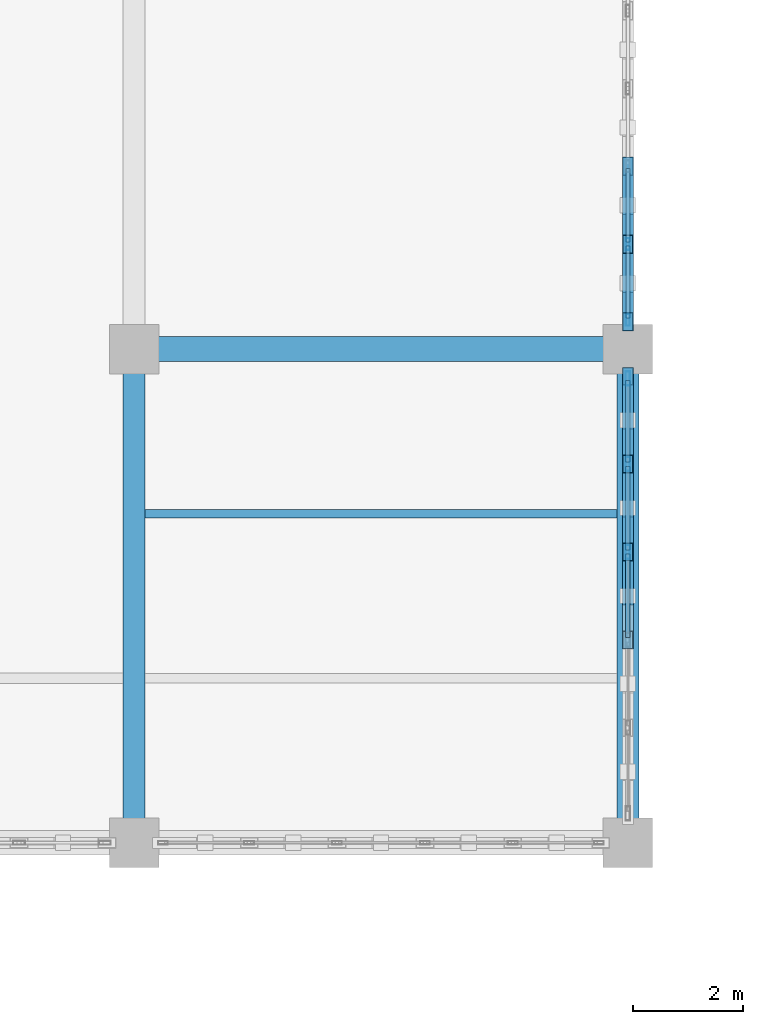
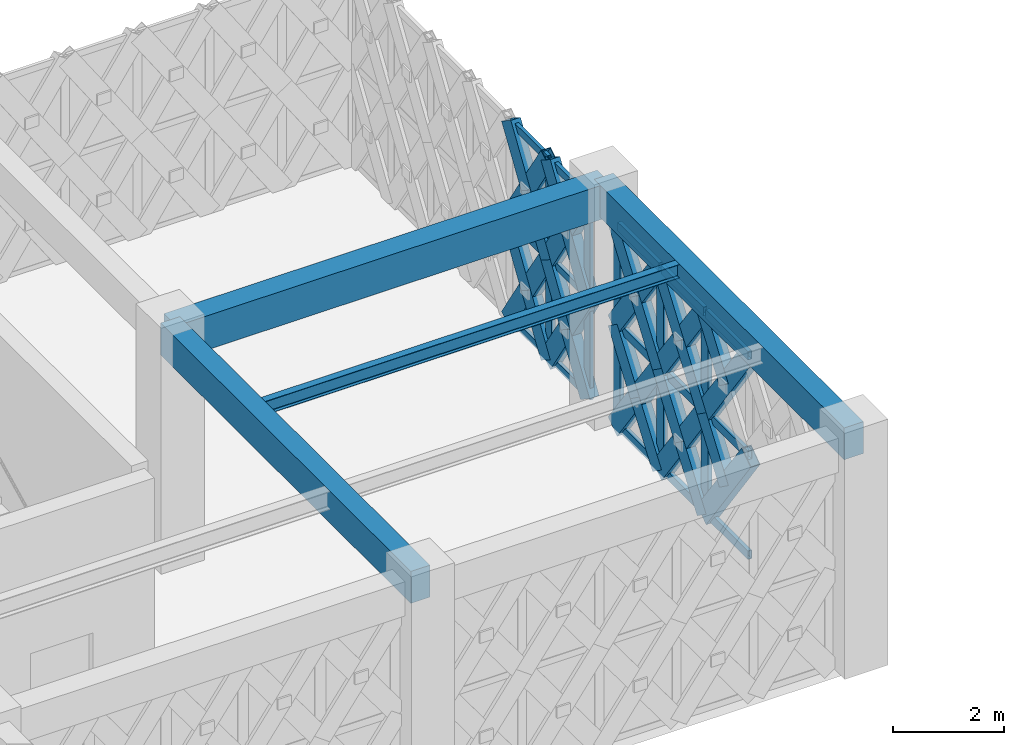
# One storey, part 91 of 155: 48 members, 4 beams, 2 elements without a shape of their own.
"""IFC4 building model written with IfcOpenShell, lengths in metres."""

from ifc_helpers import new_model, si_unit, direction, frame, origin, origin_2d, place, context, subcontext, project, spatial, rectangle, hollow_rectangle, i_section, extrude, material, material_profile, profile_set, type_object, element, aggregate, save


model = new_model("IFC4")

# Units and contexts
model_context = context("Model", 3, precision=1e-05, world=origin(), true_north=direction((0.0, 1.0)))
body_context = subcontext(model_context, "Body", "Model", "MODEL_VIEW")
ifc_project = project(units=[si_unit("LENGTHUNIT", "METRE"), si_unit("AREAUNIT", "SQUARE_METRE"), si_unit("VOLUMEUNIT", "CUBIC_METRE"), si_unit("PLANEANGLEUNIT", "RADIAN"), si_unit("MASSUNIT", "GRAM", prefix="KILO")], contexts=[model_context])

# Site, building, storey
site_placement = place(None, origin())
site = spatial("IfcSite", under=ifc_project, at=site_placement, CompositionType="ELEMENT")
building_placement = place(site_placement, origin())
building = spatial("IfcBuilding", under=site, at=building_placement, Name="Haizhuo Lancet Aquarium", CompositionType="ELEMENT")
storey_placement = place(building_placement, frame((0.0, 0.0, 10.800048828125)))
storey = spatial("IfcBuildingStorey", under=building, at=storey_placement, Name="L02", CompositionType="ELEMENT", Elevation=10.800048828125)

# Beams
ifc_material_1 = material(Name="Concrete C40/50", Category="concrete")
ifc_material_profile_1 = material_profile(ifc_material_1, rectangle(XDim=0.39990234375, YDim=0.699951171875, at=origin_2d()), Name="RC-BM 400x700")
ifc_profile_set_1 = profile_set([ifc_material_profile_1], Name="Concrete C40/50")
beam_type_1 = type_object("IfcBeamType", Name="BM-RC-400x700", PredefinedType="BEAM", material=ifc_profile_set_1)
for number, where, z_axis, x_axis, name in (
    (1, (18.0, 36.0, 4.81005859375), (0.0, 1.0, 0.0), (-1.0, 0.0, 0.0), "L02 V5 primary girder BM-L02-V5-028"),
    (2, (27.0, 36.0, 4.81005859375), (0.0, 1.0, 0.0), (-1.0, 0.0, 0.0), "L02 V5 primary girder BM-L02-V5-032"),
):
    element("IfcBeam", number, at=place(storey_placement, frame(where, z_axis=z_axis, x_axis=x_axis)), inside=storey, type_object=beam_type_1, Name=name, PredefinedType="BEAM", context=body_context, shape_type="SweptSolid", body=[
        extrude(rectangle(XDim=0.39990234375, YDim=0.699951171875, at=origin_2d()), origin(), (0.0, 0.0, 1.0), 9.0),
    ])
ifc_material_profile_2 = material_profile(ifc_material_1, rectangle(XDim=0.449951171875, YDim=0.75, at=origin_2d()), Name="RC-BM 450x750")
ifc_profile_set_2 = profile_set([ifc_material_profile_2], Name="Concrete C40/50")
beam_type_2 = type_object("IfcBeamType", Name="BM-RC-450x750", PredefinedType="BEAM", material=ifc_profile_set_2)
beam_1_placement = place(storey_placement, frame((18.0, 45.0, 4.784912109375), z_axis=(1.0, 0.0, 0.0), x_axis=(0.0, 1.0, 0.0)))
element("IfcBeam", 3, at=beam_1_placement, inside=storey, type_object=beam_type_2, Name="L02 V5 primary girder BM-L02-V5-031", PredefinedType="BEAM", context=body_context, shape_type="SweptSolid", body=[
    extrude(rectangle(XDim=0.449951171875, YDim=0.75, at=origin_2d()), origin(), (0.0, 0.0, 1.0), 9.0),
])

# Curtain wall, members
ifc_material_2 = material(Name="Aluminium 6063-T6", Category="aluminium")
curtain_wall_type_1 = type_object("IfcCurtainWallType", Name="CWD-8510x4390", PredefinedType="NOTDEFINED", material=ifc_material_2)
curtain_wall_1_placement = place(storey_placement, origin())
curtain_wall_1 = element("IfcCurtainWall", 4, at=curtain_wall_1_placement, inside=storey, type_object=curtain_wall_type_1, Name="L02 curtain wall CW-V5-L02-152", PredefinedType="NOTDEFINED")
ifc_material_profile_3 = material_profile(ifc_material_2, hollow_rectangle(XDim=0.074951171875, YDim=0.219970703125, WallThickness=0.0048828125, at=origin_2d()), Name="ALU-M 75x220x5")
ifc_profile_set_3 = profile_set([ifc_material_profile_3], Name="Aluminium 6063-T6")
member_type_1 = type_object("IfcMemberType", Name="CW-MUL-2", PredefinedType="MULLION", material=ifc_profile_set_3)
member_1_placement = place(storey_placement, frame((27.0, 46.912109375, 0.0), z_axis=(0.0, 0.0, 1.0), x_axis=(1.0, 0.0, 0.0)))
member_1 = element("IfcMember", 5, at=member_1_placement, type_object=member_type_1, Name="CWD-85x43 mullion 6", PredefinedType="MULLION", context=body_context, shape_type="SweptSolid", body=[
    extrude(hollow_rectangle(XDim=0.074951171875, YDim=0.219970703125, WallThickness=0.0048828125, at=origin_2d()), origin(), (0.0, 0.0, 1.0), 4.39501953125),
])
member_2_placement = place(storey_placement, frame((27.0, 45.531982421875, 0.0), z_axis=(0.0, 0.0, 1.0), x_axis=(1.0, 0.0, 0.0)))
member_2 = element("IfcMember", 6, at=member_2_placement, type_object=member_type_1, Name="CWD-85x43 mullion 7", PredefinedType="MULLION", context=body_context, shape_type="SweptSolid", body=[
    extrude(hollow_rectangle(XDim=0.074951171875, YDim=0.219970703125, WallThickness=0.0048828125, at=origin_2d()), origin(), (0.0, 0.0, 1.0), 4.39501953125),
])

curtain_wall_type_2 = type_object("IfcCurtainWallType", Name="CWD-8010x4460", PredefinedType="NOTDEFINED", material=ifc_material_2)
curtain_wall_2_placement = place(storey_placement, origin())
curtain_wall_2 = element("IfcCurtainWall", 7, at=curtain_wall_2_placement, inside=storey, type_object=curtain_wall_type_2, Name="L02 curtain wall CW-V5-L02-153", PredefinedType="NOTDEFINED")
ifc_material_profile_4 = material_profile(ifc_material_2, hollow_rectangle(XDim=0.080078125, YDim=0.260009765625, WallThickness=0.0048828125, at=origin_2d()), Name="ALU-M 80x260x5")
ifc_profile_set_4 = profile_set([ifc_material_profile_4], Name="Aluminium 6063-T6")
member_type_2 = type_object("IfcMemberType", Name="CW-MUL-3", PredefinedType="MULLION", material=ifc_profile_set_4)
member_3_placement = place(storey_placement, frame((27.0, 44.465087890625, 0.0), z_axis=(0.0, 0.0, 1.0), x_axis=(1.0, 0.0, 0.0)))
member_3 = element("IfcMember", 8, at=member_3_placement, type_object=member_type_2, Name="CWD-80x44 mullion 1", PredefinedType="MULLION", context=body_context, shape_type="SweptSolid", body=[
    extrude(hollow_rectangle(XDim=0.080078125, YDim=0.260009765625, WallThickness=0.0048828125, at=origin_2d()), origin(), (0.0, 0.0, 1.0), 4.4599609375),
])
member_4_placement = place(storey_placement, frame((27.0, 42.903076171875, 0.0), z_axis=(0.0, 0.0, 1.0), x_axis=(1.0, 0.0, 0.0)))
member_4 = element("IfcMember", 9, at=member_4_placement, type_object=member_type_2, Name="CWD-80x44 mullion 2", PredefinedType="MULLION", context=body_context, shape_type="SweptSolid", body=[
    extrude(hollow_rectangle(XDim=0.080078125, YDim=0.260009765625, WallThickness=0.0048828125, at=origin_2d()), origin(), (0.0, 0.0, 1.0), 4.4599609375),
])
member_5_placement = place(storey_placement, frame((27.0, 41.301025390625, 0.0), z_axis=(0.0, 0.0, 1.0), x_axis=(1.0, 0.0, 0.0)))
member_5 = element("IfcMember", 10, at=member_5_placement, type_object=member_type_2, Name="CWD-80x44 mullion 3", PredefinedType="MULLION", context=body_context, shape_type="SweptSolid", body=[
    extrude(hollow_rectangle(XDim=0.080078125, YDim=0.260009765625, WallThickness=0.0048828125, at=origin_2d()), origin(), (0.0, 0.0, 1.0), 4.4599609375),
])

# Member
ifc_material_profile_5 = material_profile(ifc_material_2, hollow_rectangle(XDim=0.074951171875, YDim=0.159912109375, WallThickness=0.00390625, at=origin_2d()), Name="ALU-T 75x160x4")
ifc_profile_set_5 = profile_set([ifc_material_profile_5], Name="Aluminium 6063-T6")
member_type_3 = type_object("IfcMemberType", Name="CW-TRN-2", PredefinedType="NOTDEFINED", material=ifc_profile_set_5)
member_6_placement = place(storey_placement, frame((27.0, 48.2919921875, 0.037841796875), z_axis=(0.0, -1.0, 0.0), x_axis=(1.0, 0.0, 0.0)))
member_6 = element("IfcMember", 11, at=member_6_placement, type_object=member_type_3, Name="CWD-85x43 transom 5.1", ObjectType="TRANSOM", PredefinedType="USERDEFINED", context=body_context, shape_type="SweptSolid", body=[
    extrude(hollow_rectangle(XDim=0.074951171875, YDim=0.159912109375, WallThickness=0.00390625, at=origin_2d()), origin(), (0.0, 0.0, 1.0), 1.342041015625),
])

member_7_placement = place(storey_placement, frame((27.0, 48.2919921875, 2.197998046875), z_axis=(0.0, -1.0, 0.0), x_axis=(1.0, 0.0, 0.0)))
member_7 = element("IfcMember", 12, at=member_7_placement, type_object=member_type_3, Name="CWD-85x43 transom 5.2", ObjectType="TRANSOM", PredefinedType="USERDEFINED", context=body_context, shape_type="SweptSolid", body=[
    extrude(hollow_rectangle(XDim=0.074951171875, YDim=0.159912109375, WallThickness=0.00390625, at=origin_2d()), origin(), (0.0, 0.0, 1.0), 1.342041015625),
])

member_8_placement = place(storey_placement, frame((27.0, 48.2919921875, 4.35791015625), z_axis=(0.0, -1.0, 0.0), x_axis=(1.0, 0.0, 0.0)))
member_8 = element("IfcMember", 13, at=member_8_placement, type_object=member_type_3, Name="CWD-85x43 transom 5.3", ObjectType="TRANSOM", PredefinedType="USERDEFINED", context=body_context, shape_type="SweptSolid", body=[
    extrude(hollow_rectangle(XDim=0.074951171875, YDim=0.159912109375, WallThickness=0.00390625, at=origin_2d()), origin(), (0.0, 0.0, 1.0), 1.342041015625),
])

member_9_placement = place(storey_placement, frame((27.0, 46.875, 0.037841796875), z_axis=(0.0, -1.0, 0.0), x_axis=(1.0, 0.0, 0.0)))
member_9 = element("IfcMember", 14, at=member_9_placement, type_object=member_type_3, Name="CWD-85x43 transom 6.1", ObjectType="TRANSOM", PredefinedType="USERDEFINED", context=body_context, shape_type="SweptSolid", body=[
    extrude(hollow_rectangle(XDim=0.074951171875, YDim=0.159912109375, WallThickness=0.00390625, at=origin_2d()), origin(), (0.0, 0.0, 1.0), 1.304931640625),
])

member_10_placement = place(storey_placement, frame((27.0, 46.875, 2.197998046875), z_axis=(0.0, -1.0, 0.0), x_axis=(1.0, 0.0, 0.0)))
member_10 = element("IfcMember", 15, at=member_10_placement, type_object=member_type_3, Name="CWD-85x43 transom 6.2", ObjectType="TRANSOM", PredefinedType="USERDEFINED", context=body_context, shape_type="SweptSolid", body=[
    extrude(hollow_rectangle(XDim=0.074951171875, YDim=0.159912109375, WallThickness=0.00390625, at=origin_2d()), origin(), (0.0, 0.0, 1.0), 1.304931640625),
])

member_11_placement = place(storey_placement, frame((27.0, 46.875, 4.35791015625), z_axis=(0.0, -1.0, 0.0), x_axis=(1.0, 0.0, 0.0)))
member_11 = element("IfcMember", 16, at=member_11_placement, type_object=member_type_3, Name="CWD-85x43 transom 6.3", ObjectType="TRANSOM", PredefinedType="USERDEFINED", context=body_context, shape_type="SweptSolid", body=[
    extrude(hollow_rectangle(XDim=0.074951171875, YDim=0.159912109375, WallThickness=0.00390625, at=origin_2d()), origin(), (0.0, 0.0, 1.0), 1.304931640625),
])

aggregate(curtain_wall_1, [member_1, member_2, member_6, member_7, member_8, member_9, member_10, member_11])

ifc_material_profile_6 = material_profile(ifc_material_2, hollow_rectangle(XDim=0.080078125, YDim=0.18994140625, WallThickness=0.0048828125, at=origin_2d()), Name="ALU-T 80x190x5")
ifc_profile_set_6 = profile_set([ifc_material_profile_6], Name="Aluminium 6063-T6")
member_type_4 = type_object("IfcMemberType", Name="CW-TRN-3", PredefinedType="NOTDEFINED", material=ifc_profile_set_6)
member_12_placement = place(storey_placement, frame((27.0, 44.425048828125, 0.0400390625), z_axis=(0.0, -1.0, 0.0), x_axis=(1.0, 0.0, 0.0)))
member_12 = element("IfcMember", 17, at=member_12_placement, type_object=member_type_4, Name="CWD-80x44 transom 1.1", ObjectType="TRANSOM", PredefinedType="USERDEFINED", context=body_context, shape_type="SweptSolid", body=[
    extrude(hollow_rectangle(XDim=0.080078125, YDim=0.18994140625, WallThickness=0.0048828125, at=origin_2d()), origin(), (0.0, 0.0, 1.0), 1.48193359375),
])

member_13_placement = place(storey_placement, frame((27.0, 44.425048828125, 2.22998046875), z_axis=(0.0, -1.0, 0.0), x_axis=(1.0, 0.0, 0.0)))
member_13 = element("IfcMember", 18, at=member_13_placement, type_object=member_type_4, Name="CWD-80x44 transom 1.2", ObjectType="TRANSOM", PredefinedType="USERDEFINED", context=body_context, shape_type="SweptSolid", body=[
    extrude(hollow_rectangle(XDim=0.080078125, YDim=0.18994140625, WallThickness=0.0048828125, at=origin_2d()), origin(), (0.0, 0.0, 1.0), 1.48193359375),
])

member_14_placement = place(storey_placement, frame((27.0, 44.425048828125, 4.419921875), z_axis=(0.0, -1.0, 0.0), x_axis=(1.0, 0.0, 0.0)))
member_14 = element("IfcMember", 19, at=member_14_placement, type_object=member_type_4, Name="CWD-80x44 transom 1.3", ObjectType="TRANSOM", PredefinedType="USERDEFINED", context=body_context, shape_type="SweptSolid", body=[
    extrude(hollow_rectangle(XDim=0.080078125, YDim=0.18994140625, WallThickness=0.0048828125, at=origin_2d()), origin(), (0.0, 0.0, 1.0), 1.48193359375),
])

member_15_placement = place(storey_placement, frame((27.0, 42.863037109375, 0.0400390625), z_axis=(0.0, -1.0, 0.0), x_axis=(1.0, 0.0, 0.0)))
member_15 = element("IfcMember", 20, at=member_15_placement, type_object=member_type_4, Name="CWD-80x44 transom 2.1", ObjectType="TRANSOM", PredefinedType="USERDEFINED", context=body_context, shape_type="SweptSolid", body=[
    extrude(hollow_rectangle(XDim=0.080078125, YDim=0.18994140625, WallThickness=0.0048828125, at=origin_2d()), origin(), (0.0, 0.0, 1.0), 1.52197265625),
])

member_16_placement = place(storey_placement, frame((27.0, 42.863037109375, 2.22998046875), z_axis=(0.0, -1.0, 0.0), x_axis=(1.0, 0.0, 0.0)))
member_16 = element("IfcMember", 21, at=member_16_placement, type_object=member_type_4, Name="CWD-80x44 transom 2.2", ObjectType="TRANSOM", PredefinedType="USERDEFINED", context=body_context, shape_type="SweptSolid", body=[
    extrude(hollow_rectangle(XDim=0.080078125, YDim=0.18994140625, WallThickness=0.0048828125, at=origin_2d()), origin(), (0.0, 0.0, 1.0), 1.52197265625),
])

member_17_placement = place(storey_placement, frame((27.0, 42.863037109375, 4.419921875), z_axis=(0.0, -1.0, 0.0), x_axis=(1.0, 0.0, 0.0)))
member_17 = element("IfcMember", 22, at=member_17_placement, type_object=member_type_4, Name="CWD-80x44 transom 2.3", ObjectType="TRANSOM", PredefinedType="USERDEFINED", context=body_context, shape_type="SweptSolid", body=[
    extrude(hollow_rectangle(XDim=0.080078125, YDim=0.18994140625, WallThickness=0.0048828125, at=origin_2d()), origin(), (0.0, 0.0, 1.0), 1.52197265625),
])

member_18_placement = place(storey_placement, frame((27.0, 41.260986328125, 0.0400390625), z_axis=(0.0, -1.0, 0.0), x_axis=(1.0, 0.0, 0.0)))
member_18 = element("IfcMember", 23, at=member_18_placement, type_object=member_type_4, Name="CWD-80x44 transom 3.1", ObjectType="TRANSOM", PredefinedType="USERDEFINED", context=body_context, shape_type="SweptSolid", body=[
    extrude(hollow_rectangle(XDim=0.080078125, YDim=0.18994140625, WallThickness=0.0048828125, at=origin_2d()), origin(), (0.0, 0.0, 1.0), 1.52197265625),
])

member_19_placement = place(storey_placement, frame((27.0, 41.260986328125, 2.22998046875), z_axis=(0.0, -1.0, 0.0), x_axis=(1.0, 0.0, 0.0)))
member_19 = element("IfcMember", 24, at=member_19_placement, type_object=member_type_4, Name="CWD-80x44 transom 3.2", ObjectType="TRANSOM", PredefinedType="USERDEFINED", context=body_context, shape_type="SweptSolid", body=[
    extrude(hollow_rectangle(XDim=0.080078125, YDim=0.18994140625, WallThickness=0.0048828125, at=origin_2d()), origin(), (0.0, 0.0, 1.0), 1.52197265625),
])

member_20_placement = place(storey_placement, frame((27.0, 41.260986328125, 4.419921875), z_axis=(0.0, -1.0, 0.0), x_axis=(1.0, 0.0, 0.0)))
member_20 = element("IfcMember", 25, at=member_20_placement, type_object=member_type_4, Name="CWD-80x44 transom 3.3", ObjectType="TRANSOM", PredefinedType="USERDEFINED", context=body_context, shape_type="SweptSolid", body=[
    extrude(hollow_rectangle(XDim=0.080078125, YDim=0.18994140625, WallThickness=0.0048828125, at=origin_2d()), origin(), (0.0, 0.0, 1.0), 1.52197265625),
])

aggregate(curtain_wall_2, [member_3, member_4, member_5, member_12, member_13, member_14, member_15, member_16, member_17, member_18, member_19, member_20])

# Beam
ifc_material_3 = material(Name="Steel S355", Category="steel")
ifc_material_profile_7 = material_profile(ifc_material_3, i_section(OverallWidth=0.14990234375, OverallDepth=0.300048828125, WebThickness=0.006591796875, FlangeThickness=0.009033203125, FilletRadius=0.012939453125, at=origin_2d()), Name="HN 300x150x6.5x9")
ifc_profile_set_7 = profile_set([ifc_material_profile_7], Name="Steel S355")
beam_type_3 = type_object("IfcBeamType", Name="JST-ST-HN300", PredefinedType="JOIST", material=ifc_profile_set_7)
beam_2_placement = place(storey_placement, frame((18.199951171875, 42.0, 5.010009765625), z_axis=(1.0, 0.0, 0.0), x_axis=(0.0, 1.0, 0.0)))
element("IfcBeam", 26, at=beam_2_placement, inside=storey, type_object=beam_type_3, Name="L02 V5 secondary floor joist 16", PredefinedType="JOIST", context=body_context, shape_type="SweptSolid", body=[
    extrude(i_section(OverallWidth=0.14990234375, OverallDepth=0.300048828125, WebThickness=0.006591796875, FlangeThickness=0.009033203125, FilletRadius=0.012939453125, at=origin_2d()), origin(), (0.0, 0.0, 1.0), 8.60009765625),
])

# Members
ifc_material_profile_8 = material_profile(ifc_material_3, hollow_rectangle(XDim=0.199951171875, YDim=0.39990234375, WallThickness=0.011962890625, at=origin_2d()), Name="RHS 200x400x12")
ifc_profile_set_8 = profile_set([ifc_material_profile_8], Name="Steel S355")
member_type_5 = type_object("IfcMemberType", Name="MEM-LB-RHS200x400", PredefinedType="BRACE", material=ifc_profile_set_8)
member_21_placement = place(storey_placement, frame((27.0, 48.330078125, 0.0), z_axis=(0.0, -0.542101357913, 0.840313106972), x_axis=(1.0, 0.0, 0.0)))
element("IfcMember", 27, at=member_21_placement, inside=storey, type_object=member_type_5, Name="Gothic lancet continuous diagonal brace CW-V5-L02-152 9A", PredefinedType="BRACE", context=body_context, shape_type="SweptSolid", body=[
    extrude(hollow_rectangle(XDim=0.199951171875, YDim=0.39990234375, WallThickness=0.011962890625, at=origin_2d()), origin(), (0.0, 0.0, 1.0), 2.61572265625),
])
for number, where, z_axis, x_axis, name in (
    (28, (27.0, 46.912109375, 0.0), (0.0, 0.542143878818, 0.840285674435), (-1.0, 0.0, 0.0), "Gothic lancet split diagonal brace CW-V5-L02-152 9B1"),
    (29, (27.0, 47.62109375, 1.098876953125), (0.0, 0.54205884229, 0.840340533055), (-1.0, 0.0, 0.0), "Gothic lancet split diagonal brace CW-V5-L02-152 9B2"),
):
    element("IfcMember", number, at=place(storey_placement, frame(where, z_axis=z_axis, x_axis=x_axis)), inside=storey, type_object=member_type_5, Name=name, PredefinedType="BRACE", context=body_context, shape_type="SweptSolid", body=[
        extrude(hollow_rectangle(XDim=0.199951171875, YDim=0.39990234375, WallThickness=0.011962890625, at=origin_2d()), origin(), (0.0, 0.0, 1.0), 1.307861328125),
    ])
member_22_placement = place(storey_placement, frame((27.0, 48.330078125, 2.197998046875), z_axis=(0.0, -0.542271473228, 0.840203338082), x_axis=(1.0, 0.0, 0.0)))
element("IfcMember", 30, at=member_22_placement, inside=storey, type_object=member_type_5, Name="Gothic lancet continuous diagonal brace CW-V5-L02-152 10A", PredefinedType="BRACE", context=body_context, shape_type="SweptSolid", body=[
    extrude(hollow_rectangle(XDim=0.199951171875, YDim=0.39990234375, WallThickness=0.011962890625, at=origin_2d()), origin(), (0.0, 0.0, 1.0), 2.614990234375),
])
member_23_placement = place(storey_placement, frame((27.0, 46.912109375, 2.197998046875), z_axis=(0.0, 0.542484236268, 0.840065981576), x_axis=(-1.0, 0.0, 0.0)))
element("IfcMember", 31, at=member_23_placement, inside=storey, type_object=member_type_5, Name="Gothic lancet split diagonal brace CW-V5-L02-152 10B1", PredefinedType="BRACE", context=body_context, shape_type="SweptSolid", body=[
    extrude(hollow_rectangle(XDim=0.199951171875, YDim=0.39990234375, WallThickness=0.011962890625, at=origin_2d()), origin(), (0.0, 0.0, 1.0), 1.306884765625),
])
member_24_placement = place(storey_placement, frame((27.0, 47.62109375, 3.2958984375), z_axis=(0.0, 0.54205884229, 0.840340533055), x_axis=(-1.0, 0.0, 0.0)))
element("IfcMember", 32, at=member_24_placement, inside=storey, type_object=member_type_5, Name="Gothic lancet split diagonal brace CW-V5-L02-152 10B2", PredefinedType="BRACE", context=body_context, shape_type="SweptSolid", body=[
    extrude(hollow_rectangle(XDim=0.199951171875, YDim=0.39990234375, WallThickness=0.011962890625, at=origin_2d()), origin(), (0.0, 0.0, 1.0), 1.307861328125),
])
member_25_placement = place(storey_placement, frame((27.0, 46.912109375, 0.0), z_axis=(0.0, -0.541837647065, 0.840483173075), x_axis=(1.0, 0.0, 0.0)))
element("IfcMember", 33, at=member_25_placement, inside=storey, type_object=member_type_5, Name="Gothic lancet continuous diagonal brace CW-V5-L02-152 11A", PredefinedType="BRACE", context=body_context, shape_type="SweptSolid", body=[
    extrude(hollow_rectangle(XDim=0.199951171875, YDim=0.39990234375, WallThickness=0.011962890625, at=origin_2d()), origin(), (0.0, 0.0, 1.0), 2.615234375),
])
member_26_placement = place(storey_placement, frame((27.0, 45.4951171875, 0.0), z_axis=(0.0, 0.541484292706, 0.840710866323), x_axis=(-1.0, 0.0, 0.0)))
element("IfcMember", 34, at=member_26_placement, inside=storey, type_object=member_type_5, Name="Gothic lancet split diagonal brace CW-V5-L02-152 11B1", PredefinedType="BRACE", context=body_context, shape_type="SweptSolid", body=[
    extrude(hollow_rectangle(XDim=0.199951171875, YDim=0.39990234375, WallThickness=0.011962890625, at=origin_2d()), origin(), (0.0, 0.0, 1.0), 1.30712890625),
])
member_27_placement = place(storey_placement, frame((27.0, 46.202880859375, 1.098876953125), z_axis=(0.0, 0.542190635954, 0.840255505358), x_axis=(-1.0, 0.0, 0.0)))
element("IfcMember", 35, at=member_27_placement, inside=storey, type_object=member_type_5, Name="Gothic lancet split diagonal brace CW-V5-L02-152 11B2", PredefinedType="BRACE", context=body_context, shape_type="SweptSolid", body=[
    extrude(hollow_rectangle(XDim=0.199951171875, YDim=0.39990234375, WallThickness=0.011962890625, at=origin_2d()), origin(), (0.0, 0.0, 1.0), 1.30810546875),
])
member_28_placement = place(storey_placement, frame((27.0, 46.912109375, 2.197998046875), z_axis=(0.0, -0.542007748489, 0.840373488741), x_axis=(1.0, 0.0, 0.0)))
element("IfcMember", 36, at=member_28_placement, inside=storey, type_object=member_type_5, Name="Gothic lancet continuous diagonal brace CW-V5-L02-152 12A", PredefinedType="BRACE", context=body_context, shape_type="SweptSolid", body=[
    extrude(hollow_rectangle(XDim=0.199951171875, YDim=0.39990234375, WallThickness=0.011962890625, at=origin_2d()), origin(), (0.0, 0.0, 1.0), 2.6142578125),
])
member_29_placement = place(storey_placement, frame((27.0, 45.4951171875, 2.197998046875), z_axis=(0.0, 0.541824580508, 0.840491596601), x_axis=(-1.0, 0.0, 0.0)))
element("IfcMember", 37, at=member_29_placement, inside=storey, type_object=member_type_5, Name="Gothic lancet split diagonal brace CW-V5-L02-152 12B1", PredefinedType="BRACE", context=body_context, shape_type="SweptSolid", body=[
    extrude(hollow_rectangle(XDim=0.199951171875, YDim=0.39990234375, WallThickness=0.011962890625, at=origin_2d()), origin(), (0.0, 0.0, 1.0), 1.30615234375),
])
member_30_placement = place(storey_placement, frame((27.0, 46.202880859375, 3.2958984375), z_axis=(0.0, 0.542190635954, 0.840255505358), x_axis=(-1.0, 0.0, 0.0)))
element("IfcMember", 38, at=member_30_placement, inside=storey, type_object=member_type_5, Name="Gothic lancet split diagonal brace CW-V5-L02-152 12B2", PredefinedType="BRACE", context=body_context, shape_type="SweptSolid", body=[
    extrude(hollow_rectangle(XDim=0.199951171875, YDim=0.39990234375, WallThickness=0.011962890625, at=origin_2d()), origin(), (0.0, 0.0, 1.0), 1.30810546875),
])
member_31_placement = place(storey_placement, frame((27.0, 44.5048828125, 0.0), z_axis=(0.0, -0.583397836814, 0.812186532763), x_axis=(1.0, 0.0, 0.0)))
element("IfcMember", 39, at=member_31_placement, inside=storey, type_object=member_type_5, Name="Gothic lancet continuous diagonal brace CW-V5-L02-153 1A", PredefinedType="BRACE", context=body_context, shape_type="SweptSolid", body=[
    extrude(hollow_rectangle(XDim=0.199951171875, YDim=0.39990234375, WallThickness=0.011962890625, at=origin_2d()), origin(), (0.0, 0.0, 1.0), 2.74560546875),
])
for number, where, z_axis, x_axis, name in (
    (40, (27.0, 42.903076171875, 0.0), (0.0, 0.583456487426, 0.81214440051), (-1.0, 0.0, 0.0), "Gothic lancet split diagonal brace CW-V5-L02-153 1B1"),
    (41, (27.0, 43.7041015625, 1.114990234375), (0.0, 0.583339177073, 0.81222866515), (-1.0, 0.0, 0.0), "Gothic lancet split diagonal brace CW-V5-L02-153 1B2"),
):
    element("IfcMember", number, at=place(storey_placement, frame(where, z_axis=z_axis, x_axis=x_axis)), inside=storey, type_object=member_type_5, Name=name, PredefinedType="BRACE", context=body_context, shape_type="SweptSolid", body=[
        extrude(hollow_rectangle(XDim=0.199951171875, YDim=0.39990234375, WallThickness=0.011962890625, at=origin_2d()), origin(), (0.0, 0.0, 1.0), 1.372802734375),
    ])
member_32_placement = place(storey_placement, frame((27.0, 44.5048828125, 2.22998046875), z_axis=(0.0, -0.583397836814, 0.812186532763), x_axis=(1.0, 0.0, 0.0)))
element("IfcMember", 42, at=member_32_placement, inside=storey, type_object=member_type_5, Name="Gothic lancet continuous diagonal brace CW-V5-L02-153 2A", PredefinedType="BRACE", context=body_context, shape_type="SweptSolid", body=[
    extrude(hollow_rectangle(XDim=0.199951171875, YDim=0.39990234375, WallThickness=0.011962890625, at=origin_2d()), origin(), (0.0, 0.0, 1.0), 2.74560546875),
])
for number, where, z_axis, x_axis, name in (
    (43, (27.0, 42.903076171875, 2.22998046875), (0.0, 0.583456487426, 0.81214440051), (-1.0, 0.0, 0.0), "Gothic lancet split diagonal brace CW-V5-L02-153 2B1"),
    (44, (27.0, 43.7041015625, 3.344970703125), (0.0, 0.583339177073, 0.81222866515), (-1.0, 0.0, 0.0), "Gothic lancet split diagonal brace CW-V5-L02-153 2B2"),
):
    element("IfcMember", number, at=place(storey_placement, frame(where, z_axis=z_axis, x_axis=x_axis)), inside=storey, type_object=member_type_5, Name=name, PredefinedType="BRACE", context=body_context, shape_type="SweptSolid", body=[
        extrude(hollow_rectangle(XDim=0.199951171875, YDim=0.39990234375, WallThickness=0.011962890625, at=origin_2d()), origin(), (0.0, 0.0, 1.0), 1.372802734375),
    ])
member_33_placement = place(storey_placement, frame((27.0, 42.903076171875, 0.0), z_axis=(0.0, -0.583456487426, 0.81214440051), x_axis=(1.0, 0.0, 0.0)))
element("IfcMember", 45, at=member_33_placement, inside=storey, type_object=member_type_5, Name="Gothic lancet continuous diagonal brace CW-V5-L02-153 3A", PredefinedType="BRACE", context=body_context, shape_type="SweptSolid", body=[
    extrude(hollow_rectangle(XDim=0.199951171875, YDim=0.39990234375, WallThickness=0.011962890625, at=origin_2d()), origin(), (0.0, 0.0, 1.0), 2.745849609375),
])
for number, where, z_axis, x_axis, name in (
    (46, (27.0, 41.301025390625, 0.0), (0.0, 0.583456487426, 0.81214440051), (-1.0, 0.0, 0.0), "Gothic lancet split diagonal brace CW-V5-L02-153 3B1"),
    (47, (27.0, 42.10205078125, 1.114990234375), (0.0, 0.583456487426, 0.81214440051), (-1.0, 0.0, 0.0), "Gothic lancet split diagonal brace CW-V5-L02-153 3B2"),
):
    element("IfcMember", number, at=place(storey_placement, frame(where, z_axis=z_axis, x_axis=x_axis)), inside=storey, type_object=member_type_5, Name=name, PredefinedType="BRACE", context=body_context, shape_type="SweptSolid", body=[
        extrude(hollow_rectangle(XDim=0.199951171875, YDim=0.39990234375, WallThickness=0.011962890625, at=origin_2d()), origin(), (0.0, 0.0, 1.0), 1.372802734375),
    ])
member_34_placement = place(storey_placement, frame((27.0, 42.903076171875, 2.22998046875), z_axis=(0.0, -0.583456487426, 0.81214440051), x_axis=(1.0, 0.0, 0.0)))
element("IfcMember", 48, at=member_34_placement, inside=storey, type_object=member_type_5, Name="Gothic lancet continuous diagonal brace CW-V5-L02-153 4A", PredefinedType="BRACE", context=body_context, shape_type="SweptSolid", body=[
    extrude(hollow_rectangle(XDim=0.199951171875, YDim=0.39990234375, WallThickness=0.011962890625, at=origin_2d()), origin(), (0.0, 0.0, 1.0), 2.745849609375),
])
for number, where, z_axis, x_axis, name in (
    (49, (27.0, 41.301025390625, 2.22998046875), (0.0, 0.583456487426, 0.81214440051), (-1.0, 0.0, 0.0), "Gothic lancet split diagonal brace CW-V5-L02-153 4B1"),
    (50, (27.0, 42.10205078125, 3.344970703125), (0.0, 0.583456487426, 0.81214440051), (-1.0, 0.0, 0.0), "Gothic lancet split diagonal brace CW-V5-L02-153 4B2"),
):
    element("IfcMember", number, at=place(storey_placement, frame(where, z_axis=z_axis, x_axis=x_axis)), inside=storey, type_object=member_type_5, Name=name, PredefinedType="BRACE", context=body_context, shape_type="SweptSolid", body=[
        extrude(hollow_rectangle(XDim=0.199951171875, YDim=0.39990234375, WallThickness=0.011962890625, at=origin_2d()), origin(), (0.0, 0.0, 1.0), 1.372802734375),
    ])
member_35_placement = place(storey_placement, frame((27.0, 41.301025390625, 0.0), z_axis=(0.0, -0.583456487426, 0.81214440051), x_axis=(1.0, 0.0, 0.0)))
element("IfcMember", 51, at=member_35_placement, inside=storey, type_object=member_type_5, Name="Gothic lancet continuous diagonal brace CW-V5-L02-153 5A", PredefinedType="BRACE", context=body_context, shape_type="SweptSolid", body=[
    extrude(hollow_rectangle(XDim=0.199951171875, YDim=0.39990234375, WallThickness=0.011962890625, at=origin_2d()), origin(), (0.0, 0.0, 1.0), 2.745849609375),
])
member_36_placement = place(storey_placement, frame((27.0, 40.5, 1.114990234375), z_axis=(0.0, 0.583456487426, 0.81214440051), x_axis=(-1.0, 0.0, 0.0)))
element("IfcMember", 52, at=member_36_placement, inside=storey, type_object=member_type_5, Name="Gothic lancet split diagonal brace CW-V5-L02-153 5B2", PredefinedType="BRACE", context=body_context, shape_type="SweptSolid", body=[
    extrude(hollow_rectangle(XDim=0.199951171875, YDim=0.39990234375, WallThickness=0.011962890625, at=origin_2d()), origin(), (0.0, 0.0, 1.0), 1.372802734375),
])
member_37_placement = place(storey_placement, frame((27.0, 41.301025390625, 2.22998046875), z_axis=(0.0, -0.583456487426, 0.81214440051), x_axis=(1.0, 0.0, 0.0)))
element("IfcMember", 53, at=member_37_placement, inside=storey, type_object=member_type_5, Name="Gothic lancet continuous diagonal brace CW-V5-L02-153 6A", PredefinedType="BRACE", context=body_context, shape_type="SweptSolid", body=[
    extrude(hollow_rectangle(XDim=0.199951171875, YDim=0.39990234375, WallThickness=0.011962890625, at=origin_2d()), origin(), (0.0, 0.0, 1.0), 2.745849609375),
])
member_38_placement = place(storey_placement, frame((27.0, 40.5, 3.344970703125), z_axis=(0.0, 0.583456487426, 0.81214440051), x_axis=(-1.0, 0.0, 0.0)))
element("IfcMember", 54, at=member_38_placement, inside=storey, type_object=member_type_5, Name="Gothic lancet split diagonal brace CW-V5-L02-153 6B2", PredefinedType="BRACE", context=body_context, shape_type="SweptSolid", body=[
    extrude(hollow_rectangle(XDim=0.199951171875, YDim=0.39990234375, WallThickness=0.011962890625, at=origin_2d()), origin(), (0.0, 0.0, 1.0), 1.372802734375),
])

save(model, "model.ifc")
